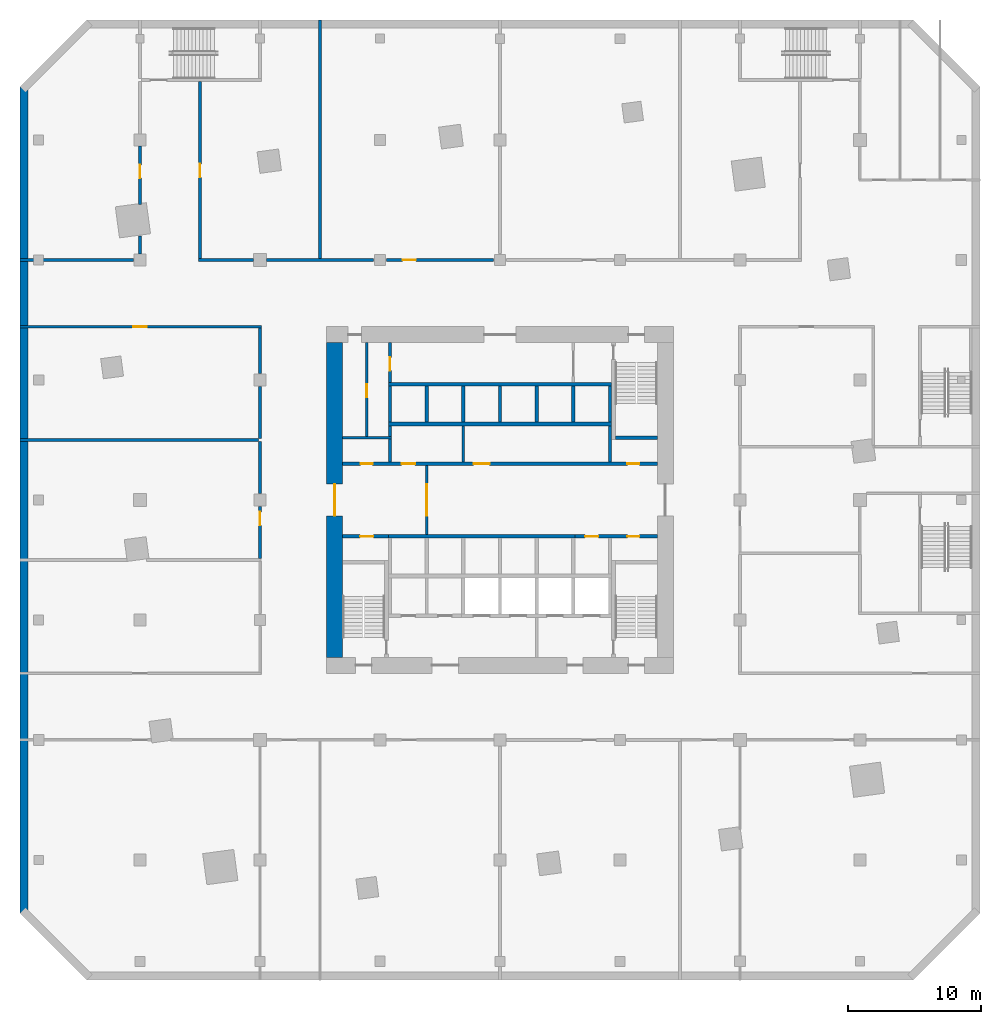
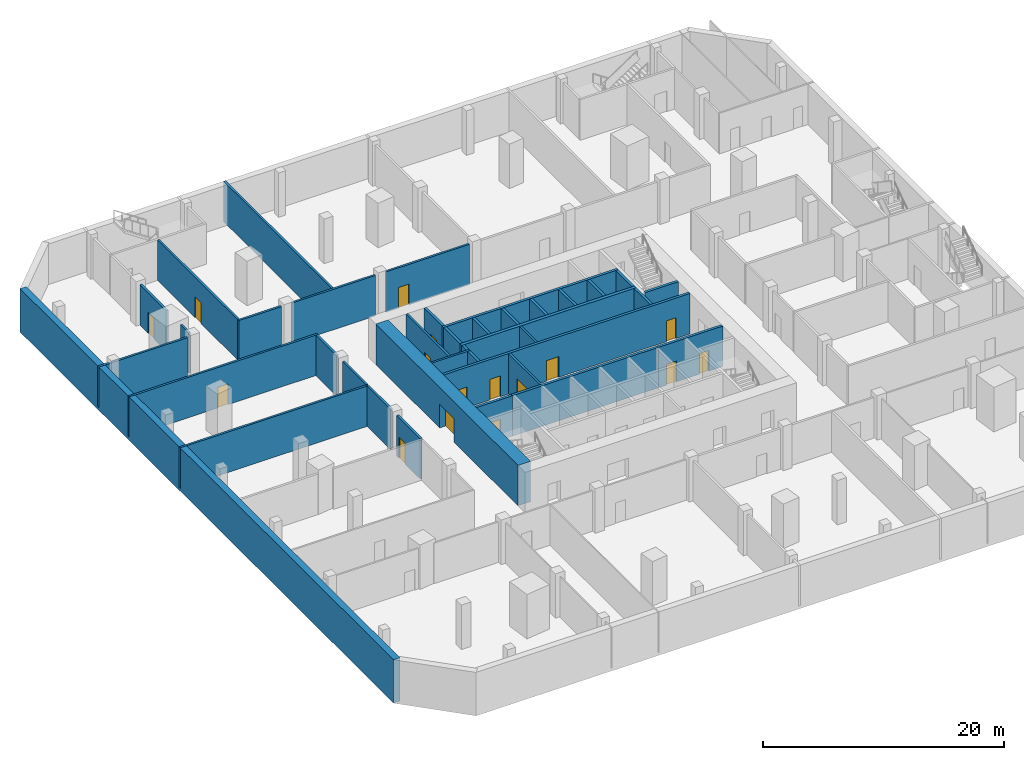
# One storey, part 4 of 11: 38 walls, 16 doors, 16 openings.
"""IFC4 building model written with IfcOpenShell, lengths in metres."""

from ifc_helpers import new_model, si_unit, direction, frame, frame_2d, origin, place, context, subcontext, project, spatial, rectangle, extrude, material, layer, layer_set, type_object, element, fill, save


model = new_model("IFC4")

# Units and contexts
model_context = context("Model", 3, precision=1e-05, world=origin(), true_north=direction((0.0, 1.0)))
body_context = subcontext(model_context, "Body", "Model", "MODEL_VIEW")
ifc_project = project(units=[si_unit("LENGTHUNIT", "METRE"), si_unit("AREAUNIT", "SQUARE_METRE"), si_unit("VOLUMEUNIT", "CUBIC_METRE"), si_unit("PLANEANGLEUNIT", "RADIAN"), si_unit("MASSUNIT", "GRAM", prefix="KILO")], contexts=[model_context])

# Site, building, storey
site_placement = place(None, origin())
site = spatial("IfcSite", under=ifc_project, at=site_placement, CompositionType="ELEMENT")
building_placement = place(site_placement, origin())
building = spatial("IfcBuilding", under=site, at=building_placement, Name="Dilmun Exchange Tower", CompositionType="ELEMENT")
storey_placement = place(building_placement, frame((0.0, 0.0, -4.5)))
storey = spatial("IfcBuildingStorey", under=building, at=storey_placement, Name="B1", CompositionType="ELEMENT", Elevation=-4.5)

# Wall, opening, door
ifc_material_1 = material(Name="Concrete C40/50", Category="concrete")
ifc_layer_1 = layer(ifc_material_1, 0.199951171875)
ifc_layer_set_1 = layer_set([ifc_layer_1], Name="Concrete C40/50")
wall_type_1 = type_object("IfcWallType", Name="Core partition wall 200", PredefinedType="PARTITIONING", material=ifc_layer_set_1)
wall_1_placement = place(storey_placement, frame((-5.5, -2.594970703125, 0.0), z_axis=(0.0, 0.0, 1.0), x_axis=(0.0, 1.0, 0.0)))
wall_1 = element("IfcWall", 1, at=wall_1_placement, inside=storey, type_object=wall_type_1, Name="B1 core partition wall 08", PredefinedType="PARTITIONING", context=body_context, shape_type="SweptSolid", body=[
    extrude(rectangle(XDim=5.18994140625, YDim=0.199951171875, at=frame_2d((2.594970703125, 0.0))), origin(), (0.0, 0.0, 1.0), 4.10009765625),
])
opening_1_placement = place(wall_1_placement, frame((1.39501953125, 0.0, 0.0)))
opening_1 = element("IfcOpeningElement", 2, at=opening_1_placement, cuts=wall_1, Name="Opening CD1", PredefinedType="OPENING", context=body_context, shape_type="SweptSolid", body=[
    extrude(rectangle(XDim=2.39990234375, YDim=2.39990234375, at=frame_2d((1.199951171875, 1.199951171875))), frame((0.0, 0.10986328125, 0.0), z_axis=(0.0, -1.0, 0.0), x_axis=(1.0, 0.0, 0.0)), (0.0, 0.0, 1.0), 0.219970703125),
])
ifc_material_2 = material(Name="Fire-rated steel door set", Category="steel")
door_type_1 = type_object("IfcDoorType", Name="Core lobby door 2400x2400", OperationType="DOUBLE_DOOR_DOUBLE_SWING", PredefinedType="DOOR", material=ifc_material_2)
door_1_placement = place(opening_1_placement, origin())
door_1 = element("IfcDoor", 3, at=door_1_placement, inside=storey, type_object=door_type_1, Name="B1 door Lift lobby east", OperationType="DOUBLE_DOOR_DOUBLE_SWING", OverallHeight=2.39990234375, OverallWidth=2.39990234375, PredefinedType="DOOR", context=body_context, shape_type="SweptSolid", body=[
    extrude(rectangle(XDim=2.39990234375, YDim=2.39990234375, at=frame_2d((1.199951171875, 1.199951171875))), frame((0.0, 0.02490234375, 0.0), z_axis=(0.0, -1.0, 0.0), x_axis=(1.0, 0.0, 0.0)), (0.0, 0.0, 1.0), 0.050048828125),
])
fill(opening_1, door_1)

# Walls
wall_2_placement = place(storey_placement, frame((-2.75, 2.85498046875, 0.0), z_axis=(0.0, 0.0, 1.0), x_axis=(0.0, 1.0, 0.0)))
element("IfcWall", 4, at=wall_2_placement, inside=storey, type_object=wall_type_1, Name="B1 core partition wall 11", PredefinedType="PARTITIONING", context=body_context, shape_type="SweptSolid", body=[
    extrude(rectangle(XDim=2.68994140625, YDim=0.199951171875, at=frame_2d((1.344970703125, 0.0))), origin(), (0.0, 0.0, 1.0), 4.10009765625),
])
wall_3_placement = place(storey_placement, frame((-11.794921875, 4.675048828125, 0.0), z_axis=(0.0, 0.0, 1.0), x_axis=(1.0, 0.0, 0.0)))
element("IfcWall", 5, at=wall_3_placement, inside=storey, type_object=wall_type_1, Name="B1 core partition wall 13", PredefinedType="PARTITIONING", context=body_context, shape_type="SweptSolid", body=[
    extrude(rectangle(XDim=3.64501953125, YDim=0.199951171875, at=frame_2d((1.822509765625, 0.0))), origin(), (0.0, 0.0, 1.0), 4.10009765625),
])

# Wall, opening, door
wall_4_placement = place(storey_placement, frame((-10.0, 4.780029296875, 0.0), z_axis=(0.0, 0.0, 1.0), x_axis=(0.0, 1.0, 0.0)))
wall_4 = element("IfcWall", 6, at=wall_4_placement, inside=storey, type_object=wall_type_1, Name="B1 core partition wall 14", PredefinedType="PARTITIONING", context=body_context, shape_type="SweptSolid", body=[
    extrude(rectangle(XDim=7.014892578125, YDim=0.199951171875, at=frame_2d((3.50732421875, 0.0))), origin(), (0.0, 0.0, 1.0), 4.10009765625),
])
opening_2_placement = place(wall_4_placement, frame((2.919921875, 0.0, 0.0)))
opening_2 = element("IfcOpeningElement", 7, at=opening_2_placement, cuts=wall_4, Name="Opening CD4", PredefinedType="OPENING", context=body_context, shape_type="SweptSolid", body=[
    extrude(rectangle(XDim=1.0, YDim=2.10009765625, at=frame_2d((0.5, 1.050048828125))), frame((0.0, 0.10986328125, 0.0), z_axis=(0.0, -1.0, 0.0), x_axis=(1.0, 0.0, 0.0)), (0.0, 0.0, 1.0), 0.219970703125),
])
door_type_2 = type_object("IfcDoorType", Name="Core room door 1000x2100", OperationType="SINGLE_SWING_LEFT", PredefinedType="DOOR", material=ifc_material_2)
door_2_placement = place(opening_2_placement, origin())
door_2 = element("IfcDoor", 8, at=door_2_placement, inside=storey, type_object=door_type_2, Name="B1 door Comms room", OperationType="SINGLE_SWING_RIGHT", OverallHeight=2.10009765625, OverallWidth=1.0, PredefinedType="DOOR", context=body_context, shape_type="SweptSolid", body=[
    extrude(rectangle(XDim=1.0, YDim=2.10009765625, at=frame_2d((0.5, 1.050048828125))), frame((0.0, 0.02490234375, 0.0), z_axis=(0.0, -1.0, 0.0), x_axis=(1.0, 0.0, 0.0)), (0.0, 0.0, 1.0), 0.050048828125),
])
fill(opening_2, door_2)

ifc_layer_2 = layer(ifc_material_1, 0.25)
ifc_layer_set_2 = layer_set([ifc_layer_2], Name="Concrete C40/50")
wall_type_2 = type_object("IfcWallType", Name="Core partition wall 250", PredefinedType="PARTITIONING", material=ifc_layer_set_2)
wall_5_placement = place(storey_placement, frame((-11.794921875, -2.72509765625, 0.0), z_axis=(0.0, 0.0, 1.0), x_axis=(1.0, 0.0, 0.0)))
wall_5 = element("IfcWall", 9, at=wall_5_placement, inside=storey, type_object=wall_type_2, Name="B1 core partition wall 06", PredefinedType="PARTITIONING", context=body_context, shape_type="SweptSolid", body=[
    extrude(rectangle(XDim=3.4150390625, YDim=0.25, at=frame_2d((1.70751953125, 0.0))), origin(), (0.0, 0.0, 1.0), 4.10009765625),
])
opening_3_placement = place(wall_5_placement, frame((1.294921875, 0.0, 0.0)))
opening_3 = element("IfcOpeningElement", 10, at=opening_3_placement, cuts=wall_5, Name="Opening CD4", PredefinedType="OPENING", context=body_context, shape_type="SweptSolid", body=[
    extrude(rectangle(XDim=1.0, YDim=2.10009765625, at=frame_2d((0.5, 1.050048828125))), frame((0.0, 0.135009765625, 0.0), z_axis=(0.0, -1.0, 0.0), x_axis=(1.0, 0.0, 0.0)), (0.0, 0.0, 1.0), 0.27001953125),
])
door_3_placement = place(opening_3_placement, origin())
door_3 = element("IfcDoor", 11, at=door_3_placement, inside=storey, type_object=door_type_2, Name="B1 door Accessible WC", OperationType="SINGLE_SWING_RIGHT", OverallHeight=2.10009765625, OverallWidth=1.0, PredefinedType="DOOR", context=body_context, shape_type="SweptSolid", body=[
    extrude(rectangle(XDim=1.0, YDim=2.10009765625, at=frame_2d((0.5, 1.050048828125))), frame((0.0, 0.02490234375, 0.0), z_axis=(0.0, -1.0, 0.0), x_axis=(1.0, 0.0, 0.0)), (0.0, 0.0, 1.0), 0.050048828125),
])
fill(opening_3, door_3)

# Wall, openings, doors
wall_6_placement = place(storey_placement, frame((5.6298828125, -2.72509765625, 0.0), z_axis=(0.0, 0.0, 1.0), x_axis=(1.0, 0.0, 0.0)))
wall_6 = element("IfcWall", 12, at=wall_6_placement, inside=storey, type_object=wall_type_2, Name="B1 core partition wall 07", PredefinedType="PARTITIONING", context=body_context, shape_type="SweptSolid", body=[
    extrude(rectangle(XDim=6.1650390625, YDim=0.25, at=frame_2d((3.08251953125, 0.0))), origin(), (0.0, 0.0, 1.0), 4.10009765625),
])
opening_4_placement = place(wall_6_placement, frame((0.7451171875, 0.0, 0.0)))
opening_4 = element("IfcOpeningElement", 13, at=opening_4_placement, cuts=wall_6, Name="Opening CD4", PredefinedType="OPENING", context=body_context, shape_type="SweptSolid", body=[
    extrude(rectangle(XDim=1.0, YDim=2.10009765625, at=frame_2d((0.5, 1.050048828125))), frame((0.0, 0.135009765625, 0.0), z_axis=(0.0, -1.0, 0.0), x_axis=(1.0, 0.0, 0.0)), (0.0, 0.0, 1.0), 0.27001953125),
])
opening_5_placement = place(wall_6_placement, frame((3.919921875, 0.0, 0.0)))
opening_5 = element("IfcOpeningElement", 14, at=opening_5_placement, cuts=wall_6, Name="Opening CD6", PredefinedType="OPENING", context=body_context, shape_type="SweptSolid", body=[
    extrude(rectangle(XDim=0.89990234375, YDim=2.10009765625, at=frame_2d((0.449951171875, 1.050048828125))), frame((0.0, 0.135009765625, 0.0), z_axis=(0.0, -1.0, 0.0), x_axis=(1.0, 0.0, 0.0)), (0.0, 0.0, 1.0), 0.27001953125),
])
door_4_placement = place(opening_4_placement, origin())
door_4 = element("IfcDoor", 15, at=door_4_placement, inside=storey, type_object=door_type_2, Name="B1 door Cleaners' store", OperationType="SINGLE_SWING_RIGHT", OverallHeight=2.10009765625, OverallWidth=1.0, PredefinedType="DOOR", context=body_context, shape_type="SweptSolid", body=[
    extrude(rectangle(XDim=1.0, YDim=2.10009765625, at=frame_2d((0.5, 1.050048828125))), frame((0.0, 0.02490234375, 0.0), z_axis=(0.0, -1.0, 0.0), x_axis=(1.0, 0.0, 0.0)), (0.0, 0.0, 1.0), 0.050048828125),
])
fill(opening_4, door_4)
door_type_3 = type_object("IfcDoorType", Name="Core room door 900x2100", OperationType="SINGLE_SWING_LEFT", PredefinedType="DOOR", material=ifc_material_2)
door_5_placement = place(opening_5_placement, origin())
door_5 = element("IfcDoor", 16, at=door_5_placement, inside=storey, type_object=door_type_3, Name="B1 door Comms riser", OperationType="SINGLE_SWING_RIGHT", OverallHeight=2.10009765625, OverallWidth=0.89990234375, PredefinedType="DOOR", context=body_context, shape_type="SweptSolid", body=[
    extrude(rectangle(XDim=0.89990234375, YDim=2.10009765625, at=frame_2d((0.449951171875, 1.050048828125))), frame((0.0, 0.02490234375, 0.0), z_axis=(0.0, -1.0, 0.0), x_axis=(1.0, 0.0, 0.0)), (0.0, 0.0, 1.0), 0.050048828125),
])
fill(opening_5, door_5)

wall_7_placement = place(storey_placement, frame((-11.794921875, 2.72509765625, 0.0), z_axis=(0.0, 0.0, 1.0), x_axis=(1.0, 0.0, 0.0)))
wall_7 = element("IfcWall", 17, at=wall_7_placement, inside=storey, type_object=wall_type_2, Name="B1 core partition wall 09", PredefinedType="PARTITIONING", context=body_context, shape_type="SweptSolid", body=[
    extrude(rectangle(XDim=23.58984375, YDim=0.25, at=frame_2d((11.794921875, 0.0))), origin(), (0.0, 0.0, 1.0), 4.10009765625),
])
opening_6_placement = place(wall_7_placement, frame((21.344970703125, 0.0, 0.0)))
opening_6 = element("IfcOpeningElement", 18, at=opening_6_placement, cuts=wall_7, Name="Opening CD6", PredefinedType="OPENING", context=body_context, shape_type="SweptSolid", body=[
    extrude(rectangle(XDim=0.89990234375, YDim=2.10009765625, at=frame_2d((0.449951171875, 1.050048828125))), frame((0.0, 0.135009765625, 0.0), z_axis=(0.0, -1.0, 0.0), x_axis=(1.0, 0.0, 0.0)), (0.0, 0.0, 1.0), 0.27001953125),
])
opening_7_placement = place(wall_7_placement, frame((1.344970703125, 0.0, 0.0)))
opening_7 = element("IfcOpeningElement", 19, at=opening_7_placement, cuts=wall_7, Name="Opening CD6", PredefinedType="OPENING", context=body_context, shape_type="SweptSolid", body=[
    extrude(rectangle(XDim=0.89990234375, YDim=2.10009765625, at=frame_2d((0.449951171875, 1.050048828125))), frame((0.0, 0.135009765625, 0.0), z_axis=(0.0, -1.0, 0.0), x_axis=(1.0, 0.0, 0.0)), (0.0, 0.0, 1.0), 0.27001953125),
])
opening_8_placement = place(wall_7_placement, frame((4.419921875, 0.0, 0.0)))
opening_8 = element("IfcOpeningElement", 20, at=opening_8_placement, cuts=wall_7, Name="Opening CD4", PredefinedType="OPENING", context=body_context, shape_type="SweptSolid", body=[
    extrude(rectangle(XDim=1.0, YDim=2.10009765625, at=frame_2d((0.5, 1.050048828125))), frame((0.0, 0.135009765625, 0.0), z_axis=(0.0, -1.0, 0.0), x_axis=(1.0, 0.0, 0.0)), (0.0, 0.0, 1.0), 0.27001953125),
])
opening_9_placement = place(wall_7_placement, frame((9.820068359375, 0.0, 0.0)))
opening_9 = element("IfcOpeningElement", 21, at=opening_9_placement, cuts=wall_7, Name="Opening CD3", PredefinedType="OPENING", context=body_context, shape_type="SweptSolid", body=[
    extrude(rectangle(XDim=1.199951171875, YDim=2.10009765625, at=frame_2d((0.60009765625, 1.050048828125))), frame((0.0, 0.135009765625, 0.0), z_axis=(0.0, -1.0, 0.0), x_axis=(1.0, 0.0, 0.0)), (0.0, 0.0, 1.0), 0.27001953125),
])
door_6_placement = place(opening_8_placement, origin())
door_6 = element("IfcDoor", 22, at=door_6_placement, inside=storey, type_object=door_type_2, Name="B1 door Tenant services room", OperationType="SINGLE_SWING_RIGHT", OverallHeight=2.10009765625, OverallWidth=1.0, PredefinedType="DOOR", context=body_context, shape_type="SweptSolid", body=[
    extrude(rectangle(XDim=1.0, YDim=2.10009765625, at=frame_2d((0.5, 1.050048828125))), frame((0.0, 0.02490234375, 0.0), z_axis=(0.0, -1.0, 0.0), x_axis=(1.0, 0.0, 0.0)), (0.0, 0.0, 1.0), 0.050048828125),
])
fill(opening_8, door_6)
door_7_placement = place(opening_6_placement, origin())
door_7 = element("IfcDoor", 23, at=door_7_placement, inside=storey, type_object=door_type_3, Name="B1 door Electrical riser", OperationType="SINGLE_SWING_RIGHT", OverallHeight=2.10009765625, OverallWidth=0.89990234375, PredefinedType="DOOR", context=body_context, shape_type="SweptSolid", body=[
    extrude(rectangle(XDim=0.89990234375, YDim=2.10009765625, at=frame_2d((0.449951171875, 1.050048828125))), frame((0.0, 0.02490234375, 0.0), z_axis=(0.0, -1.0, 0.0), x_axis=(1.0, 0.0, 0.0)), (0.0, 0.0, 1.0), 0.050048828125),
])
fill(opening_6, door_7)
door_8_placement = place(opening_7_placement, origin())
door_8 = element("IfcDoor", 24, at=door_8_placement, inside=storey, type_object=door_type_3, Name="B1 door Plumbing riser", OperationType="SINGLE_SWING_RIGHT", OverallHeight=2.10009765625, OverallWidth=0.89990234375, PredefinedType="DOOR", context=body_context, shape_type="SweptSolid", body=[
    extrude(rectangle(XDim=0.89990234375, YDim=2.10009765625, at=frame_2d((0.449951171875, 1.050048828125))), frame((0.0, 0.02490234375, 0.0), z_axis=(0.0, -1.0, 0.0), x_axis=(1.0, 0.0, 0.0)), (0.0, 0.0, 1.0), 0.050048828125),
])
fill(opening_7, door_8)
door_type_4 = type_object("IfcDoorType", Name="Stair exit door 1200x2100", OperationType="SINGLE_SWING_LEFT", PredefinedType="DOOR", material=ifc_material_2)
door_9_placement = place(opening_9_placement, origin())
door_9 = element("IfcDoor", 25, at=door_9_placement, inside=storey, type_object=door_type_4, Name="B1 door Tenant amenity store", OperationType="SINGLE_SWING_LEFT", OverallHeight=2.10009765625, OverallWidth=1.199951171875, PredefinedType="DOOR", context=body_context, shape_type="SweptSolid", body=[
    extrude(rectangle(XDim=1.199951171875, YDim=2.10009765625, at=frame_2d((0.60009765625, 1.050048828125))), frame((0.0, 0.02490234375, 0.0), z_axis=(0.0, -1.0, 0.0), x_axis=(1.0, 0.0, 0.0)), (0.0, 0.0, 1.0), 0.050048828125),
])
fill(opening_9, door_9)

# Walls
wall_8_placement = place(storey_placement, frame((-8.25, 2.85498046875, 0.0), z_axis=(0.0, 0.0, 1.0), x_axis=(0.0, 1.0, 0.0)))
element("IfcWall", 26, at=wall_8_placement, inside=storey, type_object=wall_type_2, Name="B1 core partition wall 10", PredefinedType="PARTITIONING", context=body_context, shape_type="SweptSolid", body=[
    extrude(rectangle(XDim=1.715087890625, YDim=0.25, at=frame_2d((0.857421875, 0.0))), origin(), (0.0, 0.0, 1.0), 4.10009765625),
])
wall_9_placement = place(storey_placement, frame((8.25, 2.85498046875, 0.0), z_axis=(0.0, 0.0, 1.0), x_axis=(0.0, 1.0, 0.0)))
element("IfcWall", 27, at=wall_9_placement, inside=storey, type_object=wall_type_2, Name="B1 core partition wall 12", PredefinedType="PARTITIONING", context=body_context, shape_type="SweptSolid", body=[
    extrude(rectangle(XDim=2.68994140625, YDim=0.25, at=frame_2d((1.344970703125, 0.0))), origin(), (0.0, 0.0, 1.0), 4.10009765625),
])
wall_10_placement = place(storey_placement, frame((-8.25, 4.780029296875, 0.0), z_axis=(0.0, 0.0, 1.0), x_axis=(0.0, 1.0, 0.0)))
element("IfcWall", 28, at=wall_10_placement, inside=storey, type_object=wall_type_2, Name="B1 core partition wall 15", PredefinedType="PARTITIONING", context=body_context, shape_type="SweptSolid", body=[
    extrude(rectangle(XDim=0.764892578125, YDim=0.25, at=frame_2d((0.38232421875, 0.0))), origin(), (0.0, 0.0, 1.0), 4.10009765625),
])

# Wall, opening, door
wall_11_placement = place(storey_placement, frame((-8.25, 8.804931640625, 0.0), z_axis=(0.0, 0.0, 1.0), x_axis=(0.0, 1.0, 0.0)))
wall_11 = element("IfcWall", 29, at=wall_11_placement, inside=storey, type_object=wall_type_2, Name="B1 core partition wall 16", PredefinedType="PARTITIONING", context=body_context, shape_type="SweptSolid", body=[
    extrude(rectangle(XDim=2.989990234375, YDim=0.25, at=frame_2d((1.4951171875, 0.0))), origin(), (0.0, 0.0, 1.0), 4.10009765625),
])
opening_10_placement = place(wall_11_placement, frame((0.89501953125, 0.0, 0.0)))
opening_10 = element("IfcOpeningElement", 30, at=opening_10_placement, cuts=wall_11, Name="Opening CD4", PredefinedType="OPENING", context=body_context, shape_type="SweptSolid", body=[
    extrude(rectangle(XDim=1.0, YDim=2.10009765625, at=frame_2d((0.5, 1.050048828125))), frame((0.0, 0.135009765625, 0.0), z_axis=(0.0, -1.0, 0.0), x_axis=(1.0, 0.0, 0.0)), (0.0, 0.0, 1.0), 0.27001953125),
])
door_10_placement = place(opening_10_placement, origin())
door_10 = element("IfcDoor", 31, at=door_10_placement, inside=storey, type_object=door_type_2, Name="B1 door Security room", OperationType="SINGLE_SWING_RIGHT", OverallHeight=2.10009765625, OverallWidth=1.0, PredefinedType="DOOR", context=body_context, shape_type="SweptSolid", body=[
    extrude(rectangle(XDim=1.0, YDim=2.10009765625, at=frame_2d((0.5, 1.050048828125))), frame((0.0, 0.02490234375, 0.0), z_axis=(0.0, -1.0, 0.0), x_axis=(1.0, 0.0, 0.0)), (0.0, 0.0, 1.0), 0.050048828125),
])
fill(opening_10, door_10)

ifc_material_3 = material(Name="Concrete C80/95", Category="concrete")
ifc_layer_3 = layer(ifc_material_3, 1.199951171875)
ifc_layer_set_3 = layer_set([ifc_layer_3], Name="Concrete C80/95")
wall_type_3 = type_object("IfcWallType", Name="Core shear wall 1200 Concrete C80/95", PredefinedType="SHEAR", material=ifc_layer_set_3)
wall_12_placement = place(storey_placement, frame((-12.39990234375, -11.800048828125, 0.0), z_axis=(0.0, 0.0, 1.0), x_axis=(0.0, 1.0, 0.0)))
wall_12 = element("IfcWall", 32, at=wall_12_placement, inside=storey, type_object=wall_type_3, Name="B1 core shear wall W", PredefinedType="SHEAR", context=body_context, shape_type="SweptSolid", body=[
    extrude(rectangle(XDim=23.60009765625, YDim=1.199951171875, at=frame_2d((11.800048828125, 0.0))), origin(), (0.0, 0.0, 1.0), 4.10009765625),
])
opening_11_placement = place(wall_12_placement, frame((10.60009765625, 0.0, 0.0)))
opening_11 = element("IfcOpeningElement", 33, at=opening_11_placement, cuts=wall_12, Name="Opening CD1", PredefinedType="OPENING", context=body_context, shape_type="SweptSolid", body=[
    extrude(rectangle(XDim=2.39990234375, YDim=2.39990234375, at=frame_2d((1.199951171875, 1.199951171875))), frame((0.0, 0.60986328125, 0.0), z_axis=(0.0, -1.0, 0.0), x_axis=(1.0, 0.0, 0.0)), (0.0, 0.0, 1.0), 1.219970703125),
])
door_11_placement = place(opening_11_placement, origin())
door_11 = element("IfcDoor", 34, at=door_11_placement, inside=storey, type_object=door_type_1, Name="B1 door Central lift lobby", OperationType="SINGLE_SWING_LEFT", OverallHeight=2.39990234375, OverallWidth=2.39990234375, PredefinedType="DOOR", context=body_context, shape_type="SweptSolid", body=[
    extrude(rectangle(XDim=2.39990234375, YDim=2.39990234375, at=frame_2d((1.199951171875, 1.199951171875))), frame((0.0, 0.02490234375, 0.0), z_axis=(0.0, -1.0, 0.0), x_axis=(1.0, 0.0, 0.0)), (0.0, 0.0, 1.0), 0.050048828125),
])
fill(opening_11, door_11)

# Wall
ifc_material_4 = material(Name="Fire wall EI 120 200 blockwork", Category="masonry")
ifc_layer_4 = layer(ifc_material_4, 0.199951171875)
ifc_layer_set_4 = layer_set([ifc_layer_4], Name="Fire wall EI 120 200 blockwork")
wall_type_4 = type_object("IfcWallType", Name="Fire wall EI 120 200 blockwork", PredefinedType="PARTITIONING", material=ifc_layer_set_4)
wall_13_placement = place(storey_placement, frame((-36.0, 4.5, 0.0), z_axis=(0.0, 0.0, 1.0), x_axis=(1.0, 0.0, 0.0)))
element("IfcWall", 35, at=wall_13_placement, inside=storey, type_object=wall_type_4, Name="B1 partition", PredefinedType="PARTITIONING", context=body_context, shape_type="SweptSolid", body=[
    extrude(rectangle(XDim=17.89990234375, YDim=0.199951171875, at=frame_2d((8.949951171875, 0.0))), origin(), (0.0, 0.0, 1.0), 4.10009765625),
])

# Wall, opening, door
wall_14_placement = place(storey_placement, frame((-36.0, 13.0, 0.0), z_axis=(0.0, 0.0, 1.0), x_axis=(1.0, 0.0, 0.0)))
wall_14 = element("IfcWall", 36, at=wall_14_placement, inside=storey, type_object=wall_type_4, Name="B1 partition", PredefinedType="PARTITIONING", context=body_context, shape_type="SweptSolid", body=[
    extrude(rectangle(XDim=18.10009765625, YDim=0.199951171875, at=frame_2d((9.050048828125, 0.0))), origin(), (0.0, 0.0, 1.0), 4.10009765625),
])
opening_12_placement = place(wall_14_placement, frame((8.5, 0.0, 0.0)))
opening_12 = element("IfcOpeningElement", 37, at=opening_12_placement, cuts=wall_14, Name="Opening B1-D019", PredefinedType="OPENING", context=body_context, shape_type="SweptSolid", body=[
    extrude(rectangle(XDim=1.0, YDim=2.10009765625, at=frame_2d((0.5, 1.050048828125))), frame((0.0, 0.10986328125, 0.0), z_axis=(0.0, -1.0, 0.0), x_axis=(1.0, 0.0, 0.0)), (0.0, 0.0, 1.0), 0.219970703125),
])
ifc_material_5 = material(Name="Fire door FD60 1000 x 2100")
door_type_5 = type_object("IfcDoorType", Name="Fire door FD60 1000 x 2100", OperationType="SINGLE_SWING_LEFT", PredefinedType="DOOR", material=ifc_material_5)
door_12_placement = place(opening_12_placement, origin())
door_12 = element("IfcDoor", 38, at=door_12_placement, inside=storey, type_object=door_type_5, Name="B1 door B1-D019", OperationType="SINGLE_SWING_LEFT", OverallHeight=2.10009765625, OverallWidth=1.0, PredefinedType="DOOR", context=body_context, shape_type="SweptSolid", body=[
    extrude(rectangle(XDim=1.0, YDim=2.10009765625, at=frame_2d((0.5, 1.050048828125))), frame((0.0, 0.02490234375, 0.0), z_axis=(0.0, -1.0, 0.0), x_axis=(1.0, 0.0, 0.0)), (0.0, 0.0, 1.0), 0.050048828125),
])
fill(opening_12, door_12)

# Walls
wall_15_placement = place(storey_placement, frame((-36.0, 18.0, 0.0), z_axis=(0.0, 0.0, 1.0), x_axis=(1.0, 0.0, 0.0)))
element("IfcWall", 39, at=wall_15_placement, inside=storey, type_object=wall_type_4, Name="B1 partition", PredefinedType="PARTITIONING", context=body_context, shape_type="SweptSolid", body=[
    extrude(rectangle(XDim=8.5, YDim=0.199951171875, at=frame_2d((4.25, 0.0))), origin(), (0.0, 0.0, 1.0), 4.10009765625),
])
wall_16_placement = place(storey_placement, frame((-22.60009765625, 18.0, 0.0), z_axis=(0.0, 0.0, 1.0), x_axis=(1.0, 0.0, 0.0)))
element("IfcWall", 40, at=wall_16_placement, inside=storey, type_object=wall_type_4, Name="B1 partition", PredefinedType="PARTITIONING", context=body_context, shape_type="SweptSolid", body=[
    extrude(rectangle(XDim=4.10009765625, YDim=0.199951171875, at=frame_2d((2.050048828125, 0.0))), origin(), (0.0, 0.0, 1.0), 4.10009765625),
])
wall_17_placement = place(storey_placement, frame((-17.5, 18.0, 0.0), z_axis=(0.0, 0.0, 1.0), x_axis=(1.0, 0.0, 0.0)))
element("IfcWall", 41, at=wall_17_placement, inside=storey, type_object=wall_type_4, Name="B1 partition", PredefinedType="PARTITIONING", context=body_context, shape_type="SweptSolid", body=[
    extrude(rectangle(XDim=8.0, YDim=0.199951171875, at=frame_2d((4.0, 0.0))), origin(), (0.0, 0.0, 1.0), 4.10009765625),
])

# Wall, opening, door
wall_18_placement = place(storey_placement, frame((-8.5, 18.0, 0.0), z_axis=(0.0, 0.0, 1.0), x_axis=(1.0, 0.0, 0.0)))
wall_18 = element("IfcWall", 42, at=wall_18_placement, inside=storey, type_object=wall_type_4, Name="B1 partition", PredefinedType="PARTITIONING", context=body_context, shape_type="SweptSolid", body=[
    extrude(rectangle(XDim=8.0, YDim=0.199951171875, at=frame_2d((4.0, 0.0))), origin(), (0.0, 0.0, 1.0), 4.10009765625),
])
opening_13_placement = place(wall_18_placement, frame((1.199951171875, 0.0, 0.0)))
opening_13 = element("IfcOpeningElement", 43, at=opening_13_placement, cuts=wall_18, Name="Opening B1-D009", PredefinedType="OPENING", context=body_context, shape_type="SweptSolid", body=[
    extrude(rectangle(XDim=1.0, YDim=2.10009765625, at=frame_2d((0.5, 1.050048828125))), frame((0.0, 0.10986328125, 0.0), z_axis=(0.0, -1.0, 0.0), x_axis=(1.0, 0.0, 0.0)), (0.0, 0.0, 1.0), 0.219970703125),
])
door_13_placement = place(opening_13_placement, origin())
door_13 = element("IfcDoor", 44, at=door_13_placement, inside=storey, type_object=door_type_5, Name="B1 door B1-D009", OperationType="SINGLE_SWING_LEFT", OverallHeight=2.10009765625, OverallWidth=1.0, PredefinedType="DOOR", context=body_context, shape_type="SweptSolid", body=[
    extrude(rectangle(XDim=1.0, YDim=2.10009765625, at=frame_2d((0.5, 1.050048828125))), frame((0.0, 0.02490234375, 0.0), z_axis=(0.0, -1.0, 0.0), x_axis=(1.0, 0.0, 0.0)), (0.0, 0.0, 1.0), 0.050048828125),
])
fill(opening_13, door_13)

# Wall
wall_19_placement = place(storey_placement, frame((-27.0, 18.449951171875, 0.0), z_axis=(0.0, 0.0, 1.0), x_axis=(0.0, 1.0, 0.0)))
element("IfcWall", 45, at=wall_19_placement, inside=storey, type_object=wall_type_4, Name="B1 stair wall", PredefinedType="PARTITIONING", context=body_context, shape_type="SweptSolid", body=[
    extrude(rectangle(XDim=1.35400390625, YDim=0.199951171875, at=frame_2d((0.677001953125, 0.0))), origin(), (0.0, 0.0, 1.0), 4.10009765625),
])

# Wall, opening, door
wall_20_placement = place(storey_placement, frame((-27.0, 22.154052734375, 0.0), z_axis=(0.0, 0.0, 1.0), x_axis=(0.0, 1.0, 0.0)))
wall_20 = element("IfcWall", 46, at=wall_20_placement, inside=storey, type_object=wall_type_4, Name="B1 stair wall", PredefinedType="PARTITIONING", context=body_context, shape_type="SweptSolid", body=[
    extrude(rectangle(XDim=4.383544921875, YDim=0.199951171875, at=frame_2d((2.19189453125, 0.0))), origin(), (0.0, 0.0, 1.0), 4.10009765625),
])
opening_14_placement = place(wall_20_placement, frame((1.983642578125, 0.0, 0.0)))
opening_14 = element("IfcOpeningElement", 47, at=opening_14_placement, cuts=wall_20, Name="Opening B1-D008", PredefinedType="OPENING", context=body_context, shape_type="SweptSolid", body=[
    extrude(rectangle(XDim=1.0, YDim=2.10009765625, at=frame_2d((0.5, 1.050048828125))), frame((0.0, 0.10986328125, 0.0), z_axis=(0.0, -1.0, 0.0), x_axis=(1.0, 0.0, 0.0)), (0.0, 0.0, 1.0), 0.219970703125),
])
door_14_placement = place(opening_14_placement, origin())
door_14 = element("IfcDoor", 48, at=door_14_placement, inside=storey, type_object=door_type_5, Name="B1 door B1-D008", OperationType="SINGLE_SWING_RIGHT", OverallHeight=2.10009765625, OverallWidth=1.0, PredefinedType="DOOR", context=body_context, shape_type="SweptSolid", body=[
    extrude(rectangle(XDim=1.0, YDim=2.10009765625, at=frame_2d((0.5, 1.050048828125))), frame((0.0, 0.02490234375, 0.0), z_axis=(0.0, -1.0, 0.0), x_axis=(1.0, 0.0, 0.0)), (0.0, 0.0, 1.0), 0.050048828125),
])
fill(opening_14, door_14)

wall_21_placement = place(storey_placement, frame((-22.5, 18.10009765625, 0.0), z_axis=(0.0, 0.0, 1.0), x_axis=(0.0, 1.0, 0.0)))
wall_21 = element("IfcWall", 49, at=wall_21_placement, inside=storey, type_object=wall_type_4, Name="B1 partition", PredefinedType="PARTITIONING", context=body_context, shape_type="SweptSolid", body=[
    extrude(rectangle(XDim=13.2998046875, YDim=0.199951171875, at=frame_2d((6.64990234375, 0.0))), origin(), (0.0, 0.0, 1.0), 4.10009765625),
])
opening_15_placement = place(wall_21_placement, frame((6.10009765625, 0.0, 0.0)))
opening_15 = element("IfcOpeningElement", 50, at=opening_15_placement, cuts=wall_21, Name="Opening B1-D023", PredefinedType="OPENING", context=body_context, shape_type="SweptSolid", body=[
    extrude(rectangle(XDim=1.0, YDim=2.10009765625, at=frame_2d((0.5, 1.050048828125))), frame((0.0, 0.10986328125, 0.0), z_axis=(0.0, -1.0, 0.0), x_axis=(1.0, 0.0, 0.0)), (0.0, 0.0, 1.0), 0.219970703125),
])
door_15_placement = place(opening_15_placement, origin())
door_15 = element("IfcDoor", 51, at=door_15_placement, inside=storey, type_object=door_type_5, Name="B1 door B1-D023", OperationType="SINGLE_SWING_LEFT", OverallHeight=2.10009765625, OverallWidth=1.0, PredefinedType="DOOR", context=body_context, shape_type="SweptSolid", body=[
    extrude(rectangle(XDim=1.0, YDim=2.10009765625, at=frame_2d((0.5, 1.050048828125))), frame((0.0, 0.02490234375, 0.0), z_axis=(0.0, -1.0, 0.0), x_axis=(1.0, 0.0, 0.0)), (0.0, 0.0, 1.0), 0.050048828125),
])
fill(opening_15, door_15)

wall_22_placement = place(storey_placement, frame((-18.0, -4.39990234375, 0.0), z_axis=(0.0, 0.0, 1.0), x_axis=(0.0, 1.0, 0.0)))
wall_22 = element("IfcWall", 52, at=wall_22_placement, inside=storey, type_object=wall_type_4, Name="B1 partition", PredefinedType="PARTITIONING", context=body_context, shape_type="SweptSolid", body=[
    extrude(rectangle(XDim=3.89990234375, YDim=0.199951171875, at=frame_2d((1.949951171875, 0.0))), origin(), (0.0, 0.0, 1.0), 4.10009765625),
])
opening_16_placement = place(wall_22_placement, frame((2.5, 0.0, 0.0)))
opening_16 = element("IfcOpeningElement", 53, at=opening_16_placement, cuts=wall_22, Name="Opening B1-D018", PredefinedType="OPENING", context=body_context, shape_type="SweptSolid", body=[
    extrude(rectangle(XDim=1.0, YDim=2.10009765625, at=frame_2d((0.5, 1.050048828125))), frame((0.0, 0.10986328125, 0.0), z_axis=(0.0, -1.0, 0.0), x_axis=(1.0, 0.0, 0.0)), (0.0, 0.0, 1.0), 0.219970703125),
])
door_16_placement = place(opening_16_placement, origin())
door_16 = element("IfcDoor", 54, at=door_16_placement, inside=storey, type_object=door_type_5, Name="B1 door B1-D018", OperationType="SINGLE_SWING_RIGHT", OverallHeight=2.10009765625, OverallWidth=1.0, PredefinedType="DOOR", context=body_context, shape_type="SweptSolid", body=[
    extrude(rectangle(XDim=1.0, YDim=2.10009765625, at=frame_2d((0.5, 1.050048828125))), frame((0.0, 0.02490234375, 0.0), z_axis=(0.0, -1.0, 0.0), x_axis=(1.0, 0.0, 0.0)), (0.0, 0.0, 1.0), 0.050048828125),
])
fill(opening_16, door_16)

# Walls
for number, where, z_axis, x_axis, name in (
    (55, (-18.0, 0.5, 0.0), (0.0, 0.0, 1.0), (0.0, 1.0, 0.0), "B1 partition"),
    (56, (-18.0, 4.60009765625, 0.0), (0.0, 0.0, 1.0), (0.0, 1.0, 0.0), "B1 partition"),
):
    element("IfcWall", number, at=place(storey_placement, frame(where, z_axis=z_axis, x_axis=x_axis)), inside=storey, type_object=wall_type_4, Name=name, PredefinedType="PARTITIONING", context=body_context, shape_type="SweptSolid", body=[
        extrude(rectangle(XDim=3.89990234375, YDim=0.199951171875, at=frame_2d((1.949951171875, 0.0))), origin(), (0.0, 0.0, 1.0), 4.10009765625),
    ])
wall_23_placement = place(storey_placement, frame((-18.0, 9.5, 0.0), z_axis=(0.0, 0.0, 1.0), x_axis=(0.0, 1.0, 0.0)))
element("IfcWall", 57, at=wall_23_placement, inside=storey, type_object=wall_type_4, Name="B1 partition", PredefinedType="PARTITIONING", context=body_context, shape_type="SweptSolid", body=[
    extrude(rectangle(XDim=3.39990234375, YDim=0.199951171875, at=frame_2d((1.699951171875, 0.0))), origin(), (0.0, 0.0, 1.0), 4.10009765625),
])
wall_24_placement = place(storey_placement, frame((-13.5, 18.10009765625, 0.0), z_axis=(0.0, 0.0, 1.0), x_axis=(0.0, 1.0, 0.0)))
element("IfcWall", 58, at=wall_24_placement, inside=storey, type_object=wall_type_4, Name="B1 partition", PredefinedType="PARTITIONING", context=body_context, shape_type="SweptSolid", body=[
    extrude(rectangle(XDim=17.89990234375, YDim=0.199951171875, at=frame_2d((8.949951171875, 0.0))), origin(), (0.0, 0.0, 1.0), 4.10009765625),
])
ifc_layer_5 = layer(ifc_material_1, 0.300048828125)
ifc_layer_set_5 = layer_set([ifc_layer_5], Name="Concrete C40/50")
wall_type_5 = type_object("IfcWallType", Name="Lift shaft shared wall 300", PredefinedType="SOLIDWALL", material=ifc_layer_set_5)
wall_25_placement = place(storey_placement, frame((-8.375, 5.699951171875, 0.0), z_axis=(0.0, 0.0, 1.0), x_axis=(1.0, 0.0, 0.0)))
element("IfcWall", 59, at=wall_25_placement, inside=storey, type_object=wall_type_5, Name="B1 lift shaft rear wall N", PredefinedType="SOLIDWALL", context=body_context, shape_type="SweptSolid", body=[
    extrude(rectangle(XDim=16.75, YDim=0.300048828125, at=frame_2d((8.375, 0.0))), origin(), (0.0, 0.0, 1.0), 4.10009765625),
])
ifc_layer_6 = layer(ifc_material_1, 0.25)
ifc_layer_set_6 = layer_set([ifc_layer_6], Name="Concrete C40/50")
wall_type_6 = type_object("IfcWallType", Name="Lift shaft wall 250", PredefinedType="SOLIDWALL", material=ifc_layer_set_6)
wall_26_placement = place(storey_placement, frame((-8.375, 8.675048828125, 0.0), z_axis=(0.0, 0.0, 1.0), x_axis=(1.0, 0.0, 0.0)))
element("IfcWall", 60, at=wall_26_placement, inside=storey, type_object=wall_type_6, Name="B1 lift shaft front wall N2", PredefinedType="SOLIDWALL", context=body_context, shape_type="SweptSolid", body=[
    extrude(rectangle(XDim=16.75, YDim=0.25, at=frame_2d((8.375, 0.0))), origin(), (0.0, 0.0, 1.0), 4.10009765625),
])
for number, where, z_axis, x_axis, name in (
    (61, (-8.25, 5.85009765625, 0.0), (0.0, 0.0, 1.0), (0.0, 1.0, 0.0), "B1 lift shaft divider N20"),
    (62, (-5.5, 5.85009765625, 0.0), (0.0, 0.0, 1.0), (0.0, 1.0, 0.0), "B1 lift shaft divider N21"),
    (63, (-2.75, 5.85009765625, 0.0), (0.0, 0.0, 1.0), (0.0, 1.0, 0.0), "B1 lift shaft divider N22"),
    (64, (0.0, 5.85009765625, 0.0), (0.0, 0.0, 1.0), (0.0, 1.0, 0.0), "B1 lift shaft divider N23"),
    (65, (2.75, 5.85009765625, 0.0), (0.0, 0.0, 1.0), (0.0, 1.0, 0.0), "B1 lift shaft divider N24"),
    (66, (5.5, 5.85009765625, 0.0), (0.0, 0.0, 1.0), (0.0, 1.0, 0.0), "B1 lift shaft divider N25"),
    (67, (8.25, 5.85009765625, 0.0), (0.0, 0.0, 1.0), (0.0, 1.0, 0.0), "B1 lift shaft divider N26"),
):
    element("IfcWall", number, at=place(storey_placement, frame(where, z_axis=z_axis, x_axis=x_axis)), inside=storey, type_object=wall_type_6, Name=name, PredefinedType="SOLIDWALL", context=body_context, shape_type="SweptSolid", body=[
        extrude(rectangle(XDim=2.699951171875, YDim=0.25, at=frame_2d((1.35009765625, 0.0))), origin(), (0.0, 0.0, 1.0), 4.10009765625),
    ])
wall_27_placement = place(storey_placement, frame((-8.375, -2.72509765625, 0.0), z_axis=(0.0, 0.0, 1.0), x_axis=(1.0, 0.0, 0.0)))
element("IfcWall", 68, at=wall_27_placement, inside=storey, type_object=wall_type_6, Name="B1 lift shaft front wall S1", PredefinedType="SOLIDWALL", context=body_context, shape_type="SweptSolid", body=[
    extrude(rectangle(XDim=14.0, YDim=0.25, at=frame_2d((7.0, 0.0))), origin(), (0.0, 0.0, 1.0), 4.10009765625),
])
ifc_layer_7 = layer(ifc_material_1, 0.60009765625)
ifc_layer_set_7 = layer_set([ifc_layer_7], Name="Concrete C40/50")
wall_type_7 = type_object("IfcWallType", Name="RC basement wall 600", PredefinedType="SOLIDWALL", material=ifc_layer_set_7)
wall_28_placement = place(storey_placement, frame((-35.699951171875, 31.0, -0.300048828125), z_axis=(0.0, 0.0, 1.0), x_axis=(0.0, -1.0, 0.0)))
element("IfcWall", 69, at=wall_28_placement, inside=storey, type_object=wall_type_7, Name="Basement retaining wall", PredefinedType="SOLIDWALL", context=body_context, shape_type="SweptSolid", body=[
    extrude(rectangle(XDim=62.0, YDim=0.60009765625, at=frame_2d((31.0, 0.0))), origin(), (0.0, 0.0, 1.0), 4.400146484375),
])
ifc_layer_8 = layer(ifc_material_1, 0.25)
ifc_layer_set_8 = layer_set([ifc_layer_8], Name="Concrete C40/50")
wall_type_8 = type_object("IfcWallType", Name="Stair end wall 250", PredefinedType="SOLIDWALL", material=ifc_layer_set_8)
wall_29_placement = place(storey_placement, frame((8.64990234375, 4.675048828125, 0.0), z_axis=(0.0, 0.0, 1.0), x_axis=(1.0, 0.0, 0.0)))
element("IfcWall", 70, at=wall_29_placement, inside=storey, type_object=wall_type_8, Name="B1 ST1 far wall", PredefinedType="SOLIDWALL", context=body_context, shape_type="SweptSolid", body=[
    extrude(rectangle(XDim=3.150146484375, YDim=0.25, at=frame_2d((1.5751953125, 0.0))), origin(), (0.0, 0.0, 1.0), 4.10009765625),
])

save(model, "model.ifc")
